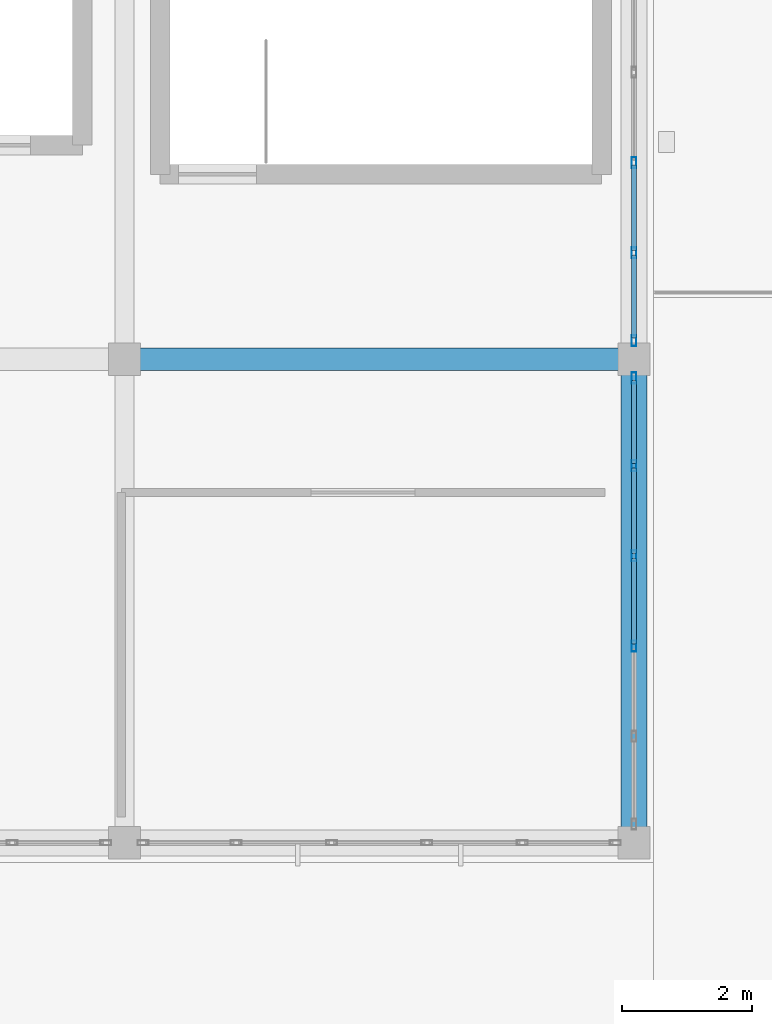
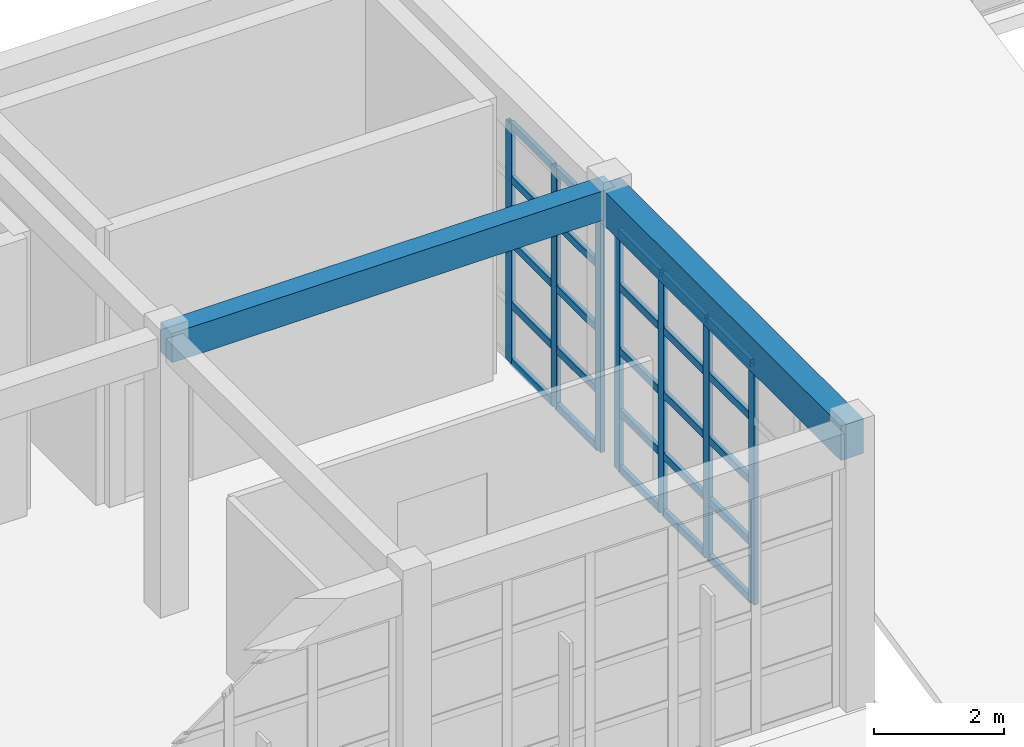
# One storey, part 10 of 103: 32 members, 2 beams, 2 elements without a shape of their own.
"""IFC4 building model written with IfcOpenShell, lengths in metres."""

from ifc_helpers import new_model, si_unit, direction, frame, origin, origin_2d, place, context, subcontext, project, spatial, rectangle, hollow_rectangle, extrude, material, layer, layer_set, material_profile, profile_set, type_object, element, aggregate, save


model = new_model("IFC4")

# Units and contexts
model_context = context("Model", 3, precision=1e-05, world=origin(), true_north=direction((0.0, 1.0)))
body_context = subcontext(model_context, "Body", "Model", "MODEL_VIEW")
ifc_project = project(units=[si_unit("LENGTHUNIT", "METRE"), si_unit("AREAUNIT", "SQUARE_METRE"), si_unit("VOLUMEUNIT", "CUBIC_METRE"), si_unit("PLANEANGLEUNIT", "RADIAN"), si_unit("MASSUNIT", "GRAM", prefix="KILO")], contexts=[model_context])

# Site, building, storey
site_placement = place(None, origin())
site = spatial("IfcSite", under=ifc_project, at=site_placement, CompositionType="ELEMENT")
building_placement = place(site_placement, origin())
building = spatial("IfcBuilding", under=site, at=building_placement, Name="Candilejo Ridge Gondola Terminal", CompositionType="ELEMENT")
storey_placement = place(building_placement, frame((0.0, 0.0, 9.0)))
storey = spatial("IfcBuildingStorey", under=building, at=storey_placement, Name="L02", CompositionType="ELEMENT", Elevation=9.0)

# Curtain wall, members
ifc_material_1 = material(Name="Anodised aluminium AA 6063-T6", Category="aluminium")
ifc_layer = layer(ifc_material_1, 0.169921875)
ifc_layer_set = layer_set([ifc_layer], Name="ARC-CW-GALLERY-3200-695X449")
curtain_wall_type = type_object("IfcCurtainWallType", Name="ARC-CW-GALLERY-3200-695X449", PredefinedType="NOTDEFINED", material=ifc_layer_set)
curtain_wall_1_placement = place(storey_placement, origin())
curtain_wall_1 = element("IfcCurtainWall", 1, at=curtain_wall_1_placement, inside=storey, type_object=curtain_wall_type, Name="Curtain wall V1 L02-026", PredefinedType="NOTDEFINED")
ifc_material_2 = material(Name="Anodised aluminium AA 6063-T6", Category="aluminium")
ifc_material_profile_1 = material_profile(ifc_material_2, hollow_rectangle(XDim=0.074951171875, YDim=0.169921875, WallThickness=0.00390625, at=origin_2d()))
ifc_profile_set_1 = profile_set([ifc_material_profile_1], Name="Anodised aluminium AA 6063-T6")
member_type_1 = type_object("IfcMemberType", Name="ARC-CW-MULLION", PredefinedType="MULLION", material=ifc_profile_set_1)
member_1_placement = place(storey_placement, frame((35.85009765625, 13.830078125, 0.0), z_axis=(0.0, 0.0, 1.0), x_axis=(-1.0, 0.0, 0.0)))
member_1 = element("IfcMember", 2, at=member_1_placement, type_object=member_type_1, Name="CW-69X44 mullion 3", PredefinedType="MULLION", context=body_context, shape_type="SweptSolid", body=[
    extrude(hollow_rectangle(XDim=0.074951171875, YDim=0.169921875, WallThickness=0.00390625, at=origin_2d()), origin(), (0.0, 0.0, 1.0), 4.489990234375),
])
member_2_placement = place(storey_placement, frame((35.85009765625, 15.219970703125, 0.0), z_axis=(0.0, 0.0, 1.0), x_axis=(-1.0, 0.0, 0.0)))
member_2 = element("IfcMember", 3, at=member_2_placement, type_object=member_type_1, Name="CW-69X44 mullion 4", PredefinedType="MULLION", context=body_context, shape_type="SweptSolid", body=[
    extrude(hollow_rectangle(XDim=0.074951171875, YDim=0.169921875, WallThickness=0.00390625, at=origin_2d()), origin(), (0.0, 0.0, 1.0), 4.489990234375),
])
member_3_placement = place(storey_placement, frame((35.85009765625, 16.610107421875, 0.0), z_axis=(0.0, 0.0, 1.0), x_axis=(-1.0, 0.0, 0.0)))
member_3 = element("IfcMember", 4, at=member_3_placement, type_object=member_type_1, Name="CW-69X44 mullion 5", PredefinedType="MULLION", context=body_context, shape_type="SweptSolid", body=[
    extrude(hollow_rectangle(XDim=0.074951171875, YDim=0.169921875, WallThickness=0.00390625, at=origin_2d()), origin(), (0.0, 0.0, 1.0), 4.489990234375),
])
member_4_placement = place(storey_placement, frame((35.85009765625, 17.96240234375, 0.0), z_axis=(0.0, 0.0, 1.0), x_axis=(-1.0, 0.0, 0.0)))
member_4 = element("IfcMember", 5, at=member_4_placement, type_object=member_type_1, Name="CW-69X44 mullion 6", PredefinedType="MULLION", context=body_context, shape_type="SweptSolid", body=[
    extrude(hollow_rectangle(XDim=0.074951171875, YDim=0.169921875, WallThickness=0.00390625, at=origin_2d()), origin(), (0.0, 0.0, 1.0), 4.489990234375),
])

curtain_wall_2_placement = place(storey_placement, origin())
curtain_wall_2 = element("IfcCurtainWall", 6, at=curtain_wall_2_placement, inside=storey, type_object=curtain_wall_type, Name="Curtain wall V1 L02-027", PredefinedType="NOTDEFINED")
member_5_placement = place(storey_placement, frame((35.85009765625, 18.53759765625, 0.0), z_axis=(0.0, 0.0, 1.0), x_axis=(-1.0, 0.0, 0.0)))
member_5 = element("IfcMember", 7, at=member_5_placement, type_object=member_type_1, Name="CW-69X44 mullion 1", PredefinedType="MULLION", context=body_context, shape_type="SweptSolid", body=[
    extrude(hollow_rectangle(XDim=0.074951171875, YDim=0.169921875, WallThickness=0.00390625, at=origin_2d()), origin(), (0.0, 0.0, 1.0), 4.489990234375),
])
member_6_placement = place(storey_placement, frame((35.85009765625, 19.889892578125, 0.0), z_axis=(0.0, 0.0, 1.0), x_axis=(-1.0, 0.0, 0.0)))
member_6 = element("IfcMember", 8, at=member_6_placement, type_object=member_type_1, Name="CW-69X44 mullion 2", PredefinedType="MULLION", context=body_context, shape_type="SweptSolid", body=[
    extrude(hollow_rectangle(XDim=0.074951171875, YDim=0.169921875, WallThickness=0.00390625, at=origin_2d()), origin(), (0.0, 0.0, 1.0), 4.489990234375),
])
member_7_placement = place(storey_placement, frame((35.85009765625, 21.280029296875, 0.0), z_axis=(0.0, 0.0, 1.0), x_axis=(-1.0, 0.0, 0.0)))
member_7 = element("IfcMember", 9, at=member_7_placement, type_object=member_type_1, Name="CW-69X44 mullion 3", PredefinedType="MULLION", context=body_context, shape_type="SweptSolid", body=[
    extrude(hollow_rectangle(XDim=0.074951171875, YDim=0.169921875, WallThickness=0.00390625, at=origin_2d()), origin(), (0.0, 0.0, 1.0), 4.489990234375),
])

# Member
ifc_material_3 = material(Name="Anodised aluminium AA 6063-T6", Category="aluminium")
ifc_material_profile_2 = material_profile(ifc_material_3, hollow_rectangle(XDim=0.074951171875, YDim=0.139892578125, WallThickness=0.00390625, at=origin_2d()))
ifc_profile_set_2 = profile_set([ifc_material_profile_2], Name="Anodised aluminium AA 6063-T6")
member_type_2 = type_object("IfcMemberType", Name="ARC-CW-TRANSOM", PredefinedType="USERDEFINED", material=ifc_profile_set_2)
member_8_placement = place(storey_placement, frame((35.85009765625, 13.867431640625, 0.03759765625), z_axis=(0.0, 1.0, 0.0), x_axis=(-1.0, 0.0, 0.0)))
member_8 = element("IfcMember", 10, at=member_8_placement, type_object=member_type_2, Name="CW-69X44 transom 3.1", ObjectType="TRANSOM", PredefinedType="USERDEFINED", context=body_context, shape_type="SweptSolid", body=[
    extrude(hollow_rectangle(XDim=0.074951171875, YDim=0.139892578125, WallThickness=0.00390625, at=origin_2d()), origin(), (0.0, 0.0, 1.0), 1.315185546875),
])

member_9_placement = place(storey_placement, frame((35.85009765625, 13.867431640625, 1.10009765625), z_axis=(0.0, 1.0, 0.0), x_axis=(-1.0, 0.0, 0.0)))
member_9 = element("IfcMember", 11, at=member_9_placement, type_object=member_type_2, Name="CW-69X44 transom 3.2", ObjectType="TRANSOM", PredefinedType="USERDEFINED", context=body_context, shape_type="SweptSolid", body=[
    extrude(hollow_rectangle(XDim=0.074951171875, YDim=0.139892578125, WallThickness=0.00390625, at=origin_2d()), origin(), (0.0, 0.0, 1.0), 1.315185546875),
])

member_10_placement = place(storey_placement, frame((35.85009765625, 13.867431640625, 2.25), z_axis=(0.0, 1.0, 0.0), x_axis=(-1.0, 0.0, 0.0)))
member_10 = element("IfcMember", 12, at=member_10_placement, type_object=member_type_2, Name="CW-69X44 transom 3.3", ObjectType="TRANSOM", PredefinedType="USERDEFINED", context=body_context, shape_type="SweptSolid", body=[
    extrude(hollow_rectangle(XDim=0.074951171875, YDim=0.139892578125, WallThickness=0.00390625, at=origin_2d()), origin(), (0.0, 0.0, 1.0), 1.315185546875),
])

member_11_placement = place(storey_placement, frame((35.85009765625, 13.867431640625, 3.449951171875), z_axis=(0.0, 1.0, 0.0), x_axis=(-1.0, 0.0, 0.0)))
member_11 = element("IfcMember", 13, at=member_11_placement, type_object=member_type_2, Name="CW-69X44 transom 3.4", ObjectType="TRANSOM", PredefinedType="USERDEFINED", context=body_context, shape_type="SweptSolid", body=[
    extrude(hollow_rectangle(XDim=0.074951171875, YDim=0.139892578125, WallThickness=0.00390625, at=origin_2d()), origin(), (0.0, 0.0, 1.0), 1.315185546875),
])

member_12_placement = place(storey_placement, frame((35.85009765625, 13.867431640625, 4.452392578125), z_axis=(0.0, 1.0, 0.0), x_axis=(-1.0, 0.0, 0.0)))
member_12 = element("IfcMember", 14, at=member_12_placement, type_object=member_type_2, Name="CW-69X44 transom 3.5", ObjectType="TRANSOM", PredefinedType="USERDEFINED", context=body_context, shape_type="SweptSolid", body=[
    extrude(hollow_rectangle(XDim=0.074951171875, YDim=0.139892578125, WallThickness=0.00390625, at=origin_2d()), origin(), (0.0, 0.0, 1.0), 1.315185546875),
])

member_13_placement = place(storey_placement, frame((35.85009765625, 15.257568359375, 0.03759765625), z_axis=(0.0, 1.0, 0.0), x_axis=(-1.0, 0.0, 0.0)))
member_13 = element("IfcMember", 15, at=member_13_placement, type_object=member_type_2, Name="CW-69X44 transom 4.1", ObjectType="TRANSOM", PredefinedType="USERDEFINED", context=body_context, shape_type="SweptSolid", body=[
    extrude(hollow_rectangle(XDim=0.074951171875, YDim=0.139892578125, WallThickness=0.00390625, at=origin_2d()), origin(), (0.0, 0.0, 1.0), 1.31494140625),
])

member_14_placement = place(storey_placement, frame((35.85009765625, 15.257568359375, 1.10009765625), z_axis=(0.0, 1.0, 0.0), x_axis=(-1.0, 0.0, 0.0)))
member_14 = element("IfcMember", 16, at=member_14_placement, type_object=member_type_2, Name="CW-69X44 transom 4.2", ObjectType="TRANSOM", PredefinedType="USERDEFINED", context=body_context, shape_type="SweptSolid", body=[
    extrude(hollow_rectangle(XDim=0.074951171875, YDim=0.139892578125, WallThickness=0.00390625, at=origin_2d()), origin(), (0.0, 0.0, 1.0), 1.31494140625),
])

member_15_placement = place(storey_placement, frame((35.85009765625, 15.257568359375, 2.25), z_axis=(0.0, 1.0, 0.0), x_axis=(-1.0, 0.0, 0.0)))
member_15 = element("IfcMember", 17, at=member_15_placement, type_object=member_type_2, Name="CW-69X44 transom 4.3", ObjectType="TRANSOM", PredefinedType="USERDEFINED", context=body_context, shape_type="SweptSolid", body=[
    extrude(hollow_rectangle(XDim=0.074951171875, YDim=0.139892578125, WallThickness=0.00390625, at=origin_2d()), origin(), (0.0, 0.0, 1.0), 1.31494140625),
])

member_16_placement = place(storey_placement, frame((35.85009765625, 15.257568359375, 3.449951171875), z_axis=(0.0, 1.0, 0.0), x_axis=(-1.0, 0.0, 0.0)))
member_16 = element("IfcMember", 18, at=member_16_placement, type_object=member_type_2, Name="CW-69X44 transom 4.4", ObjectType="TRANSOM", PredefinedType="USERDEFINED", context=body_context, shape_type="SweptSolid", body=[
    extrude(hollow_rectangle(XDim=0.074951171875, YDim=0.139892578125, WallThickness=0.00390625, at=origin_2d()), origin(), (0.0, 0.0, 1.0), 1.31494140625),
])

member_17_placement = place(storey_placement, frame((35.85009765625, 15.257568359375, 4.452392578125), z_axis=(0.0, 1.0, 0.0), x_axis=(-1.0, 0.0, 0.0)))
member_17 = element("IfcMember", 19, at=member_17_placement, type_object=member_type_2, Name="CW-69X44 transom 4.5", ObjectType="TRANSOM", PredefinedType="USERDEFINED", context=body_context, shape_type="SweptSolid", body=[
    extrude(hollow_rectangle(XDim=0.074951171875, YDim=0.139892578125, WallThickness=0.00390625, at=origin_2d()), origin(), (0.0, 0.0, 1.0), 1.31494140625),
])

member_18_placement = place(storey_placement, frame((35.85009765625, 16.6474609375, 0.03759765625), z_axis=(0.0, 1.0, 0.0), x_axis=(-1.0, 0.0, 0.0)))
member_18 = element("IfcMember", 20, at=member_18_placement, type_object=member_type_2, Name="CW-69X44 transom 5.1", ObjectType="TRANSOM", PredefinedType="USERDEFINED", context=body_context, shape_type="SweptSolid", body=[
    extrude(hollow_rectangle(XDim=0.074951171875, YDim=0.139892578125, WallThickness=0.00390625, at=origin_2d()), origin(), (0.0, 0.0, 1.0), 1.277587890625),
])

member_19_placement = place(storey_placement, frame((35.85009765625, 16.6474609375, 1.10009765625), z_axis=(0.0, 1.0, 0.0), x_axis=(-1.0, 0.0, 0.0)))
member_19 = element("IfcMember", 21, at=member_19_placement, type_object=member_type_2, Name="CW-69X44 transom 5.2", ObjectType="TRANSOM", PredefinedType="USERDEFINED", context=body_context, shape_type="SweptSolid", body=[
    extrude(hollow_rectangle(XDim=0.074951171875, YDim=0.139892578125, WallThickness=0.00390625, at=origin_2d()), origin(), (0.0, 0.0, 1.0), 1.277587890625),
])

member_20_placement = place(storey_placement, frame((35.85009765625, 16.6474609375, 2.25), z_axis=(0.0, 1.0, 0.0), x_axis=(-1.0, 0.0, 0.0)))
member_20 = element("IfcMember", 22, at=member_20_placement, type_object=member_type_2, Name="CW-69X44 transom 5.3", ObjectType="TRANSOM", PredefinedType="USERDEFINED", context=body_context, shape_type="SweptSolid", body=[
    extrude(hollow_rectangle(XDim=0.074951171875, YDim=0.139892578125, WallThickness=0.00390625, at=origin_2d()), origin(), (0.0, 0.0, 1.0), 1.277587890625),
])

member_21_placement = place(storey_placement, frame((35.85009765625, 16.6474609375, 3.449951171875), z_axis=(0.0, 1.0, 0.0), x_axis=(-1.0, 0.0, 0.0)))
member_21 = element("IfcMember", 23, at=member_21_placement, type_object=member_type_2, Name="CW-69X44 transom 5.4", ObjectType="TRANSOM", PredefinedType="USERDEFINED", context=body_context, shape_type="SweptSolid", body=[
    extrude(hollow_rectangle(XDim=0.074951171875, YDim=0.139892578125, WallThickness=0.00390625, at=origin_2d()), origin(), (0.0, 0.0, 1.0), 1.277587890625),
])

member_22_placement = place(storey_placement, frame((35.85009765625, 16.6474609375, 4.452392578125), z_axis=(0.0, 1.0, 0.0), x_axis=(-1.0, 0.0, 0.0)))
member_22 = element("IfcMember", 24, at=member_22_placement, type_object=member_type_2, Name="CW-69X44 transom 5.5", ObjectType="TRANSOM", PredefinedType="USERDEFINED", context=body_context, shape_type="SweptSolid", body=[
    extrude(hollow_rectangle(XDim=0.074951171875, YDim=0.139892578125, WallThickness=0.00390625, at=origin_2d()), origin(), (0.0, 0.0, 1.0), 1.277587890625),
])

aggregate(curtain_wall_1, [member_1, member_2, member_3, member_4, member_8, member_9, member_10, member_11, member_12, member_13, member_14, member_15, member_16, member_17, member_18, member_19, member_20, member_21, member_22])

member_23_placement = place(storey_placement, frame((35.85009765625, 18.574951171875, 0.03759765625), z_axis=(0.0, 1.0, 0.0), x_axis=(-1.0, 0.0, 0.0)))
member_23 = element("IfcMember", 25, at=member_23_placement, type_object=member_type_2, Name="CW-69X44 transom 1.1", ObjectType="TRANSOM", PredefinedType="USERDEFINED", context=body_context, shape_type="SweptSolid", body=[
    extrude(hollow_rectangle(XDim=0.074951171875, YDim=0.139892578125, WallThickness=0.00390625, at=origin_2d()), origin(), (0.0, 0.0, 1.0), 1.277587890625),
])

member_24_placement = place(storey_placement, frame((35.85009765625, 18.574951171875, 1.10009765625), z_axis=(0.0, 1.0, 0.0), x_axis=(-1.0, 0.0, 0.0)))
member_24 = element("IfcMember", 26, at=member_24_placement, type_object=member_type_2, Name="CW-69X44 transom 1.2", ObjectType="TRANSOM", PredefinedType="USERDEFINED", context=body_context, shape_type="SweptSolid", body=[
    extrude(hollow_rectangle(XDim=0.074951171875, YDim=0.139892578125, WallThickness=0.00390625, at=origin_2d()), origin(), (0.0, 0.0, 1.0), 1.277587890625),
])

member_25_placement = place(storey_placement, frame((35.85009765625, 18.574951171875, 2.25), z_axis=(0.0, 1.0, 0.0), x_axis=(-1.0, 0.0, 0.0)))
member_25 = element("IfcMember", 27, at=member_25_placement, type_object=member_type_2, Name="CW-69X44 transom 1.3", ObjectType="TRANSOM", PredefinedType="USERDEFINED", context=body_context, shape_type="SweptSolid", body=[
    extrude(hollow_rectangle(XDim=0.074951171875, YDim=0.139892578125, WallThickness=0.00390625, at=origin_2d()), origin(), (0.0, 0.0, 1.0), 1.277587890625),
])

member_26_placement = place(storey_placement, frame((35.85009765625, 18.574951171875, 3.449951171875), z_axis=(0.0, 1.0, 0.0), x_axis=(-1.0, 0.0, 0.0)))
member_26 = element("IfcMember", 28, at=member_26_placement, type_object=member_type_2, Name="CW-69X44 transom 1.4", ObjectType="TRANSOM", PredefinedType="USERDEFINED", context=body_context, shape_type="SweptSolid", body=[
    extrude(hollow_rectangle(XDim=0.074951171875, YDim=0.139892578125, WallThickness=0.00390625, at=origin_2d()), origin(), (0.0, 0.0, 1.0), 1.277587890625),
])

member_27_placement = place(storey_placement, frame((35.85009765625, 18.574951171875, 4.452392578125), z_axis=(0.0, 1.0, 0.0), x_axis=(-1.0, 0.0, 0.0)))
member_27 = element("IfcMember", 29, at=member_27_placement, type_object=member_type_2, Name="CW-69X44 transom 1.5", ObjectType="TRANSOM", PredefinedType="USERDEFINED", context=body_context, shape_type="SweptSolid", body=[
    extrude(hollow_rectangle(XDim=0.074951171875, YDim=0.139892578125, WallThickness=0.00390625, at=origin_2d()), origin(), (0.0, 0.0, 1.0), 1.277587890625),
])

member_28_placement = place(storey_placement, frame((35.85009765625, 19.927490234375, 0.03759765625), z_axis=(0.0, 1.0, 0.0), x_axis=(-1.0, 0.0, 0.0)))
member_28 = element("IfcMember", 30, at=member_28_placement, type_object=member_type_2, Name="CW-69X44 transom 2.1", ObjectType="TRANSOM", PredefinedType="USERDEFINED", context=body_context, shape_type="SweptSolid", body=[
    extrude(hollow_rectangle(XDim=0.074951171875, YDim=0.139892578125, WallThickness=0.00390625, at=origin_2d()), origin(), (0.0, 0.0, 1.0), 1.31494140625),
])

member_29_placement = place(storey_placement, frame((35.85009765625, 19.927490234375, 1.10009765625), z_axis=(0.0, 1.0, 0.0), x_axis=(-1.0, 0.0, 0.0)))
member_29 = element("IfcMember", 31, at=member_29_placement, type_object=member_type_2, Name="CW-69X44 transom 2.2", ObjectType="TRANSOM", PredefinedType="USERDEFINED", context=body_context, shape_type="SweptSolid", body=[
    extrude(hollow_rectangle(XDim=0.074951171875, YDim=0.139892578125, WallThickness=0.00390625, at=origin_2d()), origin(), (0.0, 0.0, 1.0), 1.31494140625),
])

member_30_placement = place(storey_placement, frame((35.85009765625, 19.927490234375, 2.25), z_axis=(0.0, 1.0, 0.0), x_axis=(-1.0, 0.0, 0.0)))
member_30 = element("IfcMember", 32, at=member_30_placement, type_object=member_type_2, Name="CW-69X44 transom 2.3", ObjectType="TRANSOM", PredefinedType="USERDEFINED", context=body_context, shape_type="SweptSolid", body=[
    extrude(hollow_rectangle(XDim=0.074951171875, YDim=0.139892578125, WallThickness=0.00390625, at=origin_2d()), origin(), (0.0, 0.0, 1.0), 1.31494140625),
])

member_31_placement = place(storey_placement, frame((35.85009765625, 19.927490234375, 3.449951171875), z_axis=(0.0, 1.0, 0.0), x_axis=(-1.0, 0.0, 0.0)))
member_31 = element("IfcMember", 33, at=member_31_placement, type_object=member_type_2, Name="CW-69X44 transom 2.4", ObjectType="TRANSOM", PredefinedType="USERDEFINED", context=body_context, shape_type="SweptSolid", body=[
    extrude(hollow_rectangle(XDim=0.074951171875, YDim=0.139892578125, WallThickness=0.00390625, at=origin_2d()), origin(), (0.0, 0.0, 1.0), 1.31494140625),
])

member_32_placement = place(storey_placement, frame((35.85009765625, 19.927490234375, 4.452392578125), z_axis=(0.0, 1.0, 0.0), x_axis=(-1.0, 0.0, 0.0)))
member_32 = element("IfcMember", 34, at=member_32_placement, type_object=member_type_2, Name="CW-69X44 transom 2.5", ObjectType="TRANSOM", PredefinedType="USERDEFINED", context=body_context, shape_type="SweptSolid", body=[
    extrude(hollow_rectangle(XDim=0.074951171875, YDim=0.139892578125, WallThickness=0.00390625, at=origin_2d()), origin(), (0.0, 0.0, 1.0), 1.31494140625),
])

aggregate(curtain_wall_2, [member_5, member_6, member_7, member_23, member_24, member_25, member_26, member_27, member_28, member_29, member_30, member_31, member_32])

# Beams
ifc_material_4 = material(Name="Concrete f'c 35 MPa (C35/45)", Category="concrete")
ifc_material_profile_3 = material_profile(ifc_material_4, rectangle(XDim=0.35009765625, YDim=0.550048828125, at=origin_2d()))
ifc_profile_set_3 = profile_set([ifc_material_profile_3], Name="Concrete f'c 35 MPa (C35/45)")
beam_type_1 = type_object("IfcBeamType", Name="STR-BM-RC350X550", PredefinedType="BEAM", material=ifc_profile_set_3)
beam_1_placement = place(storey_placement, frame((28.0, 18.25, 4.925048828125), z_axis=(1.0, 0.0, 0.0), x_axis=(0.0, 1.0, 0.0)))
element("IfcBeam", 35, at=beam_1_placement, inside=storey, type_object=beam_type_1, Name="Beam X V1 L02 X04-X05@Y03", PredefinedType="BEAM", context=body_context, shape_type="SweptSolid", body=[
    extrude(rectangle(XDim=0.35009765625, YDim=0.550048828125, at=origin_2d()), origin(), (0.0, 0.0, 1.0), 7.85009765625),
])
ifc_material_5 = material(Name="Concrete f'c 35 MPa (C35/45)", Category="concrete")
ifc_material_profile_4 = material_profile(ifc_material_5, rectangle(XDim=0.39990234375, YDim=0.64990234375, at=origin_2d()))
ifc_profile_set_4 = profile_set([ifc_material_profile_4], Name="Concrete f'c 35 MPa (C35/45)")
beam_type_2 = type_object("IfcBeamType", Name="STR-SPN-RC400X650", PredefinedType="SPANDREL", material=ifc_profile_set_4)
beam_2_placement = place(storey_placement, frame((35.85009765625, 10.800048828125, 4.875), z_axis=(0.0, 1.0, 0.0), x_axis=(-1.0, 0.0, 0.0)))
element("IfcBeam", 36, at=beam_2_placement, inside=storey, type_object=beam_type_2, Name="Beam Y V1 L02 Y02-Y03@X05", PredefinedType="SPANDREL", context=body_context, shape_type="SweptSolid", body=[
    extrude(rectangle(XDim=0.39990234375, YDim=0.64990234375, at=origin_2d()), origin(), (0.0, 0.0, 1.0), 7.449951171875),
])

save(model, "model.ifc")
